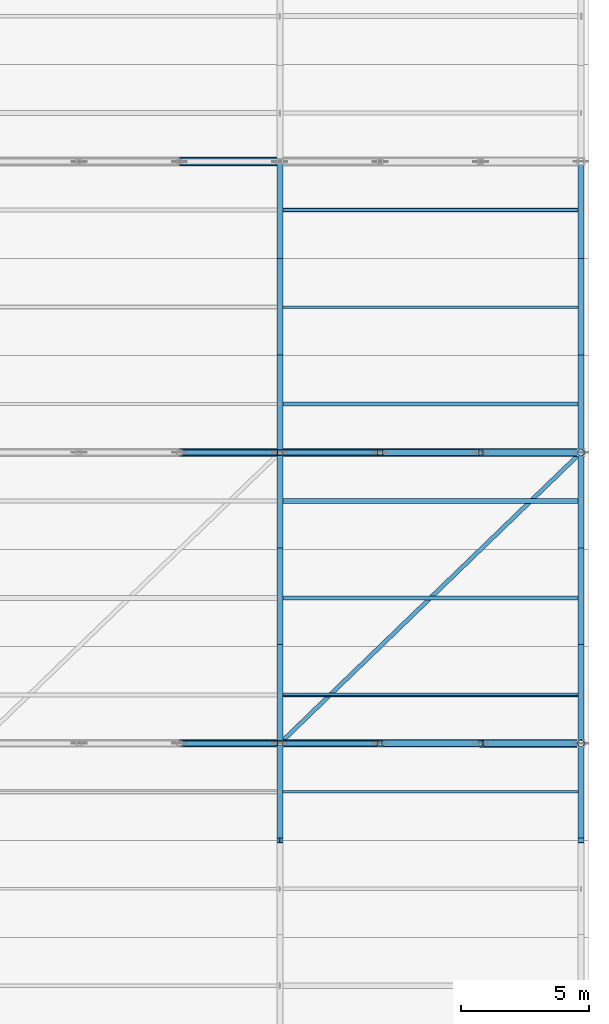
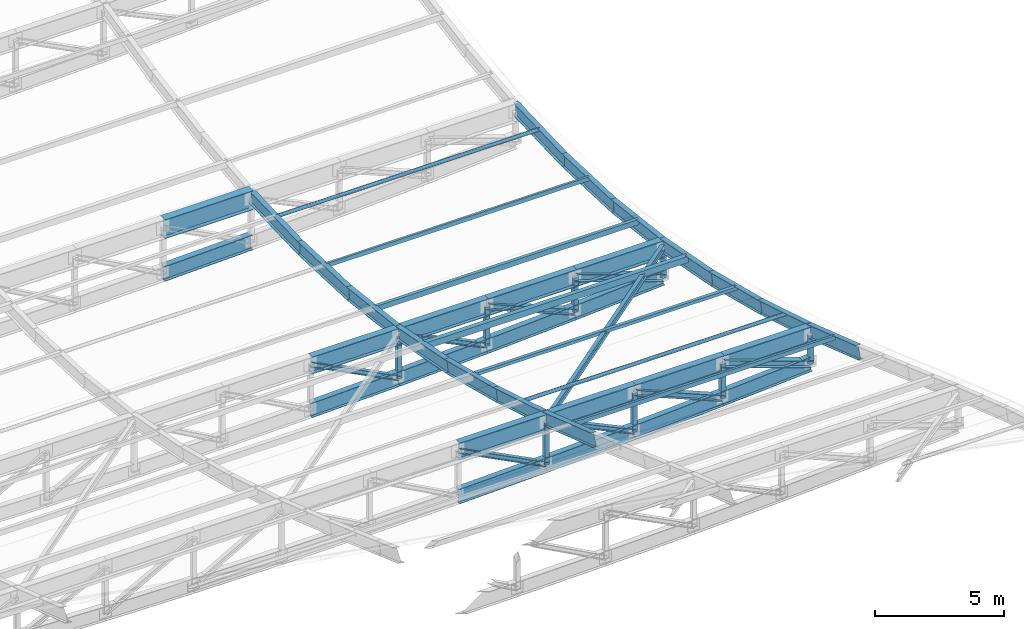
# One storey, part 17 of 65: 38 members, 18 beams.
"""IFC4 building model written with IfcOpenShell, lengths in metres."""

from ifc_helpers import new_model, si_unit, direction, frame, origin, origin_2d, place, context, subcontext, project, spatial, hollow_rectangle, hollow_circle, i_section, extrude, material, material_profile, profile_set, type_object, element, save


model = new_model("IFC4")

# Units and contexts
model_context = context("Model", 3, precision=1e-05, world=origin(), true_north=direction((0.0, 1.0)))
body_context = subcontext(model_context, "Body", "Model", "MODEL_VIEW")
ifc_project = project(units=[si_unit("LENGTHUNIT", "METRE"), si_unit("AREAUNIT", "SQUARE_METRE"), si_unit("VOLUMEUNIT", "CUBIC_METRE"), si_unit("PLANEANGLEUNIT", "RADIAN"), si_unit("MASSUNIT", "GRAM", prefix="KILO"), si_unit("POWERUNIT", "WATT"), si_unit("THERMODYNAMICTEMPERATUREUNIT", "KELVIN")], contexts=[model_context])

# Site, building, storey
site_placement = place(None, origin())
site = spatial("IfcSite", under=ifc_project, at=site_placement, CompositionType="ELEMENT")
building_placement = place(site_placement, origin())
building = spatial("IfcBuilding", under=site, at=building_placement, Name="Kelmbourne Parkland Aquatics Centre", CompositionType="ELEMENT")
storey_placement = place(building_placement, frame((0.0, 0.0, 27.0)))
storey = spatial("IfcBuildingStorey", under=building, at=storey_placement, Name="RF", CompositionType="ELEMENT", Elevation=27.0)

# Members
ifc_material_1 = material(Name="Structural steel AS/NZS 3679.1 Grade 300", Category="steel")
ifc_material_profile_1 = material_profile(ifc_material_1, i_section(OverallWidth=0.166015625, OverallDepth=0.306884765625, WebThickness=0.006591796875, FlangeThickness=0.01171875, at=origin_2d()), Name="310UB46.2")
ifc_profile_set_1 = profile_set([ifc_material_profile_1], Name="Structural steel AS/NZS 3679.1 Grade 300")
member_type_1 = type_object("IfcMemberType", Name="MB-BR-I", PredefinedType="BRACE", material=ifc_profile_set_1)
member_1_placement = place(storey_placement, frame((163.406982421875, 35.0068359375, -9.568359375), z_axis=(0.708582480884, 0.684569204059, -0.171101936399), x_axis=(-0.694815416631, 0.719188109476, 0.0)))
element("IfcMember", 1, at=member_1_placement, inside=storey, type_object=member_type_1, Name="Roof wind diagonal brace B4-912", PredefinedType="BRACE", context=body_context, shape_type="SweptSolid", body=[
    extrude(i_section(OverallWidth=0.166015625, OverallDepth=0.306884765625, WebThickness=0.006591796875, FlangeThickness=0.01171875, at=origin_2d()), origin(), (0.0, 0.0, 1.0), 16.633056640625),
])
ifc_material_profile_2 = material_profile(ifc_material_1, i_section(OverallWidth=0.306884765625, OverallDepth=0.31494140625, WebThickness=0.011962890625, FlangeThickness=0.018798828125, at=origin_2d()), Name="310UC118")
ifc_profile_set_2 = profile_set([ifc_material_profile_2], Name="Structural steel AS/NZS 3679.1 Grade 300")
member_type_2 = type_object("IfcMemberType", Name="MB-DIAG1", PredefinedType="STRUT", material=ifc_profile_set_2)
for number, where, z_axis, x_axis, name in (
    (2, (171.2666015625, 35.0, -9.566650390625), (0.94359966112, 0.0, -0.331088627913), (0.0, 1.0, 0.0), "Roof truss R03 web diagonal 12"),
    (3, (171.2666015625, 46.39990234375, -12.416015625), (0.943617957768, 0.0, -0.331036478015), (0.0, 1.0, 0.0), "Roof truss R04 web diagonal 12"),
):
    element("IfcMember", number, at=place(storey_placement, frame(where, z_axis=z_axis, x_axis=x_axis)), inside=storey, type_object=member_type_2, Name=name, PredefinedType="STRUT", context=body_context, shape_type="SweptSolid", body=[
        extrude(i_section(OverallWidth=0.306884765625, OverallDepth=0.31494140625, WebThickness=0.011962890625, FlangeThickness=0.018798828125, at=origin_2d()), origin(), (0.0, 0.0, 1.0), 4.16845703125),
    ])
ifc_material_profile_3 = material_profile(ifc_material_1, i_section(OverallWidth=0.256103515625, OverallDepth=0.260009765625, WebThickness=0.010498046875, FlangeThickness=0.017333984375, at=origin_2d()), Name="250UC89.5")
ifc_profile_set_3 = profile_set([ifc_material_profile_3], Name="Structural steel AS/NZS 3679.1 Grade 300")
member_type_3 = type_object("IfcMemberType", Name="MB-DIAG2", PredefinedType="STRUT", material=ifc_profile_set_3)
for number, where, z_axis, x_axis, name in (
    (4, (167.333251953125, 35.0, -9.566650390625), (0.923014195881, 0.0, -0.384765895322), (0.0, 1.0, 0.0), "Roof truss R03 web diagonal 11"),
    (5, (167.333251953125, 46.39990234375, -12.416015625), (0.923014195881, 0.0, -0.384765895322), (0.0, 1.0, 0.0), "Roof truss R04 web diagonal 11"),
):
    element("IfcMember", number, at=place(storey_placement, frame(where, z_axis=z_axis, x_axis=x_axis)), inside=storey, type_object=member_type_3, Name=name, PredefinedType="STRUT", context=body_context, shape_type="SweptSolid", body=[
        extrude(i_section(OverallWidth=0.256103515625, OverallDepth=0.260009765625, WebThickness=0.010498046875, FlangeThickness=0.017333984375, at=origin_2d()), origin(), (0.0, 0.0, 1.0), 4.261474609375),
    ])
ifc_material_profile_4 = material_profile(ifc_material_1, i_section(OverallWidth=0.205078125, OverallDepth=0.2099609375, WebThickness=0.00927734375, FlangeThickness=0.01416015625, at=origin_2d()), Name="200UC59.5")
ifc_profile_set_4 = profile_set([ifc_material_profile_4], Name="Structural steel AS/NZS 3679.1 Grade 300")
member_type_4 = type_object("IfcMemberType", Name="MB-DIAG3", PredefinedType="STRUT", material=ifc_profile_set_4)
member_2_placement = place(storey_placement, frame((159.466796875, 35.0, -9.566650390625), z_axis=(0.889762254621, 0.0, -0.456424287535), x_axis=(0.0, 1.0, 0.0)))
element("IfcMember", 6, at=member_2_placement, inside=storey, type_object=member_type_4, Name="Roof truss R03 web diagonal 9", PredefinedType="STRUT", context=body_context, shape_type="SweptSolid", body=[
    extrude(i_section(OverallWidth=0.205078125, OverallDepth=0.2099609375, WebThickness=0.00927734375, FlangeThickness=0.01416015625, at=origin_2d()), origin(), (0.0, 0.0, 1.0), 4.42041015625),
])
member_3_placement = place(storey_placement, frame((163.39990234375, 35.0, -9.566650390625), z_axis=(0.904702860314, 0.0, -0.426043113475), x_axis=(0.0, 1.0, 0.0)))
element("IfcMember", 7, at=member_3_placement, inside=storey, type_object=member_type_4, Name="Roof truss R03 web diagonal 10", PredefinedType="STRUT", context=body_context, shape_type="SweptSolid", body=[
    extrude(i_section(OverallWidth=0.205078125, OverallDepth=0.2099609375, WebThickness=0.00927734375, FlangeThickness=0.01416015625, at=origin_2d()), origin(), (0.0, 0.0, 1.0), 4.34765625),
])
member_4_placement = place(storey_placement, frame((159.466796875, 46.39990234375, -12.416015625), z_axis=(0.889784683693, 0.0, -0.456380561226), x_axis=(0.0, 1.0, 0.0)))
element("IfcMember", 8, at=member_4_placement, inside=storey, type_object=member_type_4, Name="Roof truss R04 web diagonal 9", PredefinedType="STRUT", context=body_context, shape_type="SweptSolid", body=[
    extrude(i_section(OverallWidth=0.205078125, OverallDepth=0.2099609375, WebThickness=0.00927734375, FlangeThickness=0.01416015625, at=origin_2d()), origin(), (0.0, 0.0, 1.0), 4.42041015625),
])
member_5_placement = place(storey_placement, frame((163.39990234375, 46.39990234375, -12.416015625), z_axis=(0.904724503936, 0.0, -0.425997150199), x_axis=(0.0, 1.0, 0.0)))
element("IfcMember", 9, at=member_5_placement, inside=storey, type_object=member_type_4, Name="Roof truss R04 web diagonal 10", PredefinedType="STRUT", context=body_context, shape_type="SweptSolid", body=[
    extrude(i_section(OverallWidth=0.205078125, OverallDepth=0.2099609375, WebThickness=0.00927734375, FlangeThickness=0.01416015625, at=origin_2d()), origin(), (0.0, 0.0, 1.0), 4.34765625),
])
ifc_material_profile_5 = material_profile(ifc_material_1, i_section(OverallWidth=0.22900390625, OverallDepth=0.612060546875, WebThickness=0.011962890625, FlangeThickness=0.01953125, at=origin_2d()), Name="610UB125")
ifc_profile_set_5 = profile_set([ifc_material_profile_5], Name="Structural steel AS/NZS 3679.1 Grade 300")
member_type_5 = type_object("IfcMemberType", Name="MB-LRIB", PredefinedType="STRUT", material=ifc_profile_set_5)
member_6_placement = place(storey_placement, frame((163.39990234375, 31.199951171875, -8.157470703125), z_axis=(0.0, 0.946978369756, -0.321297319029), x_axis=(-1.0, 0.0, 0.0)))
element("IfcMember", 10, at=member_6_placement, inside=storey, type_object=member_type_5, Name="Longitudinal wave rib K9 strip 09", PredefinedType="STRUT", context=body_context, shape_type="SweptSolid", body=[
    extrude(i_section(OverallWidth=0.22900390625, OverallDepth=0.612060546875, WebThickness=0.011962890625, FlangeThickness=0.01953125, at=origin_2d()), origin(), (0.0, 0.0, 1.0), 4.0126953125),
])
member_7_placement = place(storey_placement, frame((163.39990234375, 35.0, -9.44677734375), z_axis=(0.0, 0.956676857842, -0.291151832676), x_axis=(-1.0, 0.0, 0.0)))
element("IfcMember", 11, at=member_7_placement, inside=storey, type_object=member_type_5, Name="Longitudinal wave rib K9 strip 10", PredefinedType="STRUT", context=body_context, shape_type="SweptSolid", body=[
    extrude(i_section(OverallWidth=0.22900390625, OverallDepth=0.612060546875, WebThickness=0.011962890625, FlangeThickness=0.01953125, at=origin_2d()), origin(), (0.0, 0.0, 1.0), 3.97216796875),
])
member_8_placement = place(storey_placement, frame((163.39990234375, 38.800048828125, -10.603271484375), z_axis=(0.0, 0.96918642233, -0.246328396193), x_axis=(-1.0, 0.0, 0.0)))
element("IfcMember", 12, at=member_8_placement, inside=storey, type_object=member_type_5, Name="Longitudinal wave rib K9 strip 11", PredefinedType="STRUT", context=body_context, shape_type="SweptSolid", body=[
    extrude(i_section(OverallWidth=0.22900390625, OverallDepth=0.612060546875, WebThickness=0.011962890625, FlangeThickness=0.01953125, at=origin_2d()), origin(), (0.0, 0.0, 1.0), 3.9208984375),
])
member_9_placement = place(storey_placement, frame((163.39990234375, 42.60009765625, -11.569091796875), z_axis=(0.0, 0.982194109661, -0.187868919588), x_axis=(-1.0, 0.0, 0.0)))
element("IfcMember", 13, at=member_9_placement, inside=storey, type_object=member_type_5, Name="Longitudinal wave rib K9 strip 12", PredefinedType="STRUT", context=body_context, shape_type="SweptSolid", body=[
    extrude(i_section(OverallWidth=0.22900390625, OverallDepth=0.612060546875, WebThickness=0.011962890625, FlangeThickness=0.01953125, at=origin_2d()), origin(), (0.0, 0.0, 1.0), 3.86865234375),
])
member_10_placement = place(storey_placement, frame((163.39990234375, 46.39990234375, -12.2958984375), z_axis=(0.0, 0.993025491234, -0.117899846309), x_axis=(-1.0, 0.0, 0.0)))
element("IfcMember", 14, at=member_10_placement, inside=storey, type_object=member_type_5, Name="Longitudinal wave rib K9 strip 13", PredefinedType="STRUT", context=body_context, shape_type="SweptSolid", body=[
    extrude(i_section(OverallWidth=0.22900390625, OverallDepth=0.612060546875, WebThickness=0.011962890625, FlangeThickness=0.01953125, at=origin_2d()), origin(), (0.0, 0.0, 1.0), 3.82666015625),
])
member_11_placement = place(storey_placement, frame((163.39990234375, 50.199951171875, -12.7470703125), z_axis=(0.0, 0.999192218412, -0.040185951091), x_axis=(-1.0, 0.0, 0.0)))
element("IfcMember", 15, at=member_11_placement, inside=storey, type_object=member_type_5, Name="Longitudinal wave rib K9 strip 14", PredefinedType="STRUT", context=body_context, shape_type="SweptSolid", body=[
    extrude(i_section(OverallWidth=0.22900390625, OverallDepth=0.612060546875, WebThickness=0.011962890625, FlangeThickness=0.01953125, at=origin_2d()), origin(), (0.0, 0.0, 1.0), 3.80322265625),
])
member_12_placement = place(storey_placement, frame((163.39990234375, 54.0, -12.89990234375), z_axis=(0.0, 0.99935801958, 0.035826647923), x_axis=(-1.0, 0.0, 0.0)))
element("IfcMember", 16, at=member_12_placement, inside=storey, type_object=member_type_5, Name="Longitudinal wave rib K9 strip 15", PredefinedType="STRUT", context=body_context, shape_type="SweptSolid", body=[
    extrude(i_section(OverallWidth=0.22900390625, OverallDepth=0.612060546875, WebThickness=0.011962890625, FlangeThickness=0.01953125, at=origin_2d()), origin(), (0.0, 0.0, 1.0), 3.802490234375),
])
member_13_placement = place(storey_placement, frame((175.199951171875, 31.199951171875, -8.157470703125), z_axis=(0.0, 0.946978369756, -0.321297319029), x_axis=(-1.0, 0.0, 0.0)))
element("IfcMember", 17, at=member_13_placement, inside=storey, type_object=member_type_5, Name="Longitudinal wave rib K12 strip 09", PredefinedType="STRUT", context=body_context, shape_type="SweptSolid", body=[
    extrude(i_section(OverallWidth=0.22900390625, OverallDepth=0.612060546875, WebThickness=0.011962890625, FlangeThickness=0.01953125, at=origin_2d()), origin(), (0.0, 0.0, 1.0), 4.0126953125),
])
member_14_placement = place(storey_placement, frame((175.199951171875, 35.0, -9.44677734375), z_axis=(0.0, 0.956676857842, -0.291151832676), x_axis=(-1.0, 0.0, 0.0)))
element("IfcMember", 18, at=member_14_placement, inside=storey, type_object=member_type_5, Name="Longitudinal wave rib K12 strip 10", PredefinedType="STRUT", context=body_context, shape_type="SweptSolid", body=[
    extrude(i_section(OverallWidth=0.22900390625, OverallDepth=0.612060546875, WebThickness=0.011962890625, FlangeThickness=0.01953125, at=origin_2d()), origin(), (0.0, 0.0, 1.0), 3.97216796875),
])
member_15_placement = place(storey_placement, frame((175.199951171875, 38.800048828125, -10.603271484375), z_axis=(0.0, 0.96918642233, -0.246328396193), x_axis=(-1.0, 0.0, 0.0)))
element("IfcMember", 19, at=member_15_placement, inside=storey, type_object=member_type_5, Name="Longitudinal wave rib K12 strip 11", PredefinedType="STRUT", context=body_context, shape_type="SweptSolid", body=[
    extrude(i_section(OverallWidth=0.22900390625, OverallDepth=0.612060546875, WebThickness=0.011962890625, FlangeThickness=0.01953125, at=origin_2d()), origin(), (0.0, 0.0, 1.0), 3.9208984375),
])
member_16_placement = place(storey_placement, frame((175.199951171875, 42.60009765625, -11.569091796875), z_axis=(0.0, 0.982194109661, -0.187868919588), x_axis=(-1.0, 0.0, 0.0)))
element("IfcMember", 20, at=member_16_placement, inside=storey, type_object=member_type_5, Name="Longitudinal wave rib K12 strip 12", PredefinedType="STRUT", context=body_context, shape_type="SweptSolid", body=[
    extrude(i_section(OverallWidth=0.22900390625, OverallDepth=0.612060546875, WebThickness=0.011962890625, FlangeThickness=0.01953125, at=origin_2d()), origin(), (0.0, 0.0, 1.0), 3.86865234375),
])
member_17_placement = place(storey_placement, frame((175.199951171875, 46.39990234375, -12.2958984375), z_axis=(0.0, 0.993025491234, -0.117899846309), x_axis=(-1.0, 0.0, 0.0)))
element("IfcMember", 21, at=member_17_placement, inside=storey, type_object=member_type_5, Name="Longitudinal wave rib K12 strip 13", PredefinedType="STRUT", context=body_context, shape_type="SweptSolid", body=[
    extrude(i_section(OverallWidth=0.22900390625, OverallDepth=0.612060546875, WebThickness=0.011962890625, FlangeThickness=0.01953125, at=origin_2d()), origin(), (0.0, 0.0, 1.0), 3.82666015625),
])
member_18_placement = place(storey_placement, frame((175.199951171875, 50.199951171875, -12.7470703125), z_axis=(0.0, 0.999192218412, -0.040185951091), x_axis=(-1.0, 0.0, 0.0)))
element("IfcMember", 22, at=member_18_placement, inside=storey, type_object=member_type_5, Name="Longitudinal wave rib K12 strip 14", PredefinedType="STRUT", context=body_context, shape_type="SweptSolid", body=[
    extrude(i_section(OverallWidth=0.22900390625, OverallDepth=0.612060546875, WebThickness=0.011962890625, FlangeThickness=0.01953125, at=origin_2d()), origin(), (0.0, 0.0, 1.0), 3.80322265625),
])
member_19_placement = place(storey_placement, frame((175.199951171875, 54.0, -12.89990234375), z_axis=(0.0, 0.99935801958, 0.035826647923), x_axis=(-1.0, 0.0, 0.0)))
element("IfcMember", 23, at=member_19_placement, inside=storey, type_object=member_type_5, Name="Longitudinal wave rib K12 strip 15", PredefinedType="STRUT", context=body_context, shape_type="SweptSolid", body=[
    extrude(i_section(OverallWidth=0.22900390625, OverallDepth=0.612060546875, WebThickness=0.011962890625, FlangeThickness=0.01953125, at=origin_2d()), origin(), (0.0, 0.0, 1.0), 3.802490234375),
])
ifc_material_2 = material(Name="Cold-formed hollow steel AS/NZS 1163 C350L0", Category="steel")
ifc_material_profile_6 = material_profile(ifc_material_2, hollow_rectangle(XDim=0.199951171875, YDim=0.199951171875, WallThickness=0.010009765625, at=origin_2d()), Name="SHS 200x200x10.0")
ifc_profile_set_6 = profile_set([ifc_material_profile_6], Name="Cold-formed hollow steel AS/NZS 1163 C350L0")
member_type_6 = type_object("IfcMemberType", Name="MB-POST1", PredefinedType="STRUT", material=ifc_profile_set_6)
member_20_placement = place(storey_placement, frame((163.39990234375, 35.0, -11.584228515625), z_axis=(0.0, 0.0, 1.0), x_axis=(1.0, 0.0, 0.0)))
element("IfcMember", 24, at=member_20_placement, inside=storey, type_object=member_type_6, Name="Roof truss R03 vertical post 9", PredefinedType="STRUT", context=body_context, shape_type="SweptSolid", body=[
    extrude(hollow_rectangle(XDim=0.199951171875, YDim=0.199951171875, WallThickness=0.010009765625, at=origin_2d()), origin(), (0.0, 0.0, 1.0), 2.017578125),
])
member_21_placement = place(storey_placement, frame((167.333251953125, 35.0, -11.4189453125), z_axis=(0.0, 0.0, 1.0), x_axis=(1.0, 0.0, 0.0)))
element("IfcMember", 25, at=member_21_placement, inside=storey, type_object=member_type_6, Name="Roof truss R03 vertical post 10", PredefinedType="STRUT", context=body_context, shape_type="SweptSolid", body=[
    extrude(hollow_rectangle(XDim=0.199951171875, YDim=0.199951171875, WallThickness=0.010009765625, at=origin_2d()), origin(), (0.0, 0.0, 1.0), 1.852294921875),
])
member_22_placement = place(storey_placement, frame((171.2666015625, 35.0, -11.206298828125), z_axis=(0.0, 0.0, 1.0), x_axis=(1.0, 0.0, 0.0)))
element("IfcMember", 26, at=member_22_placement, inside=storey, type_object=member_type_6, Name="Roof truss R03 vertical post 11", PredefinedType="STRUT", context=body_context, shape_type="SweptSolid", body=[
    extrude(hollow_rectangle(XDim=0.199951171875, YDim=0.199951171875, WallThickness=0.010009765625, at=origin_2d()), origin(), (0.0, 0.0, 1.0), 1.6396484375),
])
member_23_placement = place(storey_placement, frame((163.39990234375, 46.39990234375, -14.433349609375), z_axis=(0.0, 0.0, 1.0), x_axis=(1.0, 0.0, 0.0)))
element("IfcMember", 27, at=member_23_placement, inside=storey, type_object=member_type_6, Name="Roof truss R04 vertical post 9", PredefinedType="STRUT", context=body_context, shape_type="SweptSolid", body=[
    extrude(hollow_rectangle(XDim=0.199951171875, YDim=0.199951171875, WallThickness=0.010009765625, at=origin_2d()), origin(), (0.0, 0.0, 1.0), 2.017333984375),
])
member_24_placement = place(storey_placement, frame((167.333251953125, 46.39990234375, -14.26806640625), z_axis=(0.0, 0.0, 1.0), x_axis=(1.0, 0.0, 0.0)))
element("IfcMember", 28, at=member_24_placement, inside=storey, type_object=member_type_6, Name="Roof truss R04 vertical post 10", PredefinedType="STRUT", context=body_context, shape_type="SweptSolid", body=[
    extrude(hollow_rectangle(XDim=0.199951171875, YDim=0.199951171875, WallThickness=0.010009765625, at=origin_2d()), origin(), (0.0, 0.0, 1.0), 1.85205078125),
])
member_25_placement = place(storey_placement, frame((171.2666015625, 46.39990234375, -14.0556640625), z_axis=(0.0, 0.0, 1.0), x_axis=(1.0, 0.0, 0.0)))
element("IfcMember", 29, at=member_25_placement, inside=storey, type_object=member_type_6, Name="Roof truss R04 vertical post 11", PredefinedType="STRUT", context=body_context, shape_type="SweptSolid", body=[
    extrude(hollow_rectangle(XDim=0.199951171875, YDim=0.199951171875, WallThickness=0.010009765625, at=origin_2d()), origin(), (0.0, 0.0, 1.0), 1.6396484375),
])
ifc_material_profile_7 = material_profile(ifc_material_2, hollow_circle(Radius=0.136474609375, WallThickness=0.00927734375, at=origin_2d()), Name="CHS 273.1x9.3")
ifc_profile_set_7 = profile_set([ifc_material_profile_7], Name="Cold-formed hollow steel AS/NZS 1163 C350L0")
member_type_7 = type_object("IfcMemberType", Name="MB-POST2", PredefinedType="STRUT", material=ifc_profile_set_7)
member_26_placement = place(storey_placement, frame((175.199951171875, 35.0, -10.94677734375), z_axis=(0.0, 0.0, 1.0), x_axis=(1.0, 0.0, 0.0)))
element("IfcMember", 30, at=member_26_placement, inside=storey, type_object=member_type_7, Name="Roof truss R03 vertical post 12", PredefinedType="STRUT", context=body_context, shape_type="SweptSolid", body=[
    extrude(hollow_circle(Radius=0.136474609375, WallThickness=0.00927734375, at=origin_2d()), origin(), (0.0, 0.0, 1.0), 1.380126953125),
])
member_27_placement = place(storey_placement, frame((175.199951171875, 46.39990234375, -13.7958984375), z_axis=(0.0, 0.0, 1.0), x_axis=(1.0, 0.0, 0.0)))
element("IfcMember", 31, at=member_27_placement, inside=storey, type_object=member_type_7, Name="Roof truss R04 vertical post 12", PredefinedType="STRUT", context=body_context, shape_type="SweptSolid", body=[
    extrude(hollow_circle(Radius=0.136474609375, WallThickness=0.00927734375, at=origin_2d()), origin(), (0.0, 0.0, 1.0), 1.3798828125),
])
ifc_material_profile_8 = material_profile(ifc_material_2, hollow_rectangle(XDim=0.10009765625, YDim=0.199951171875, WallThickness=0.006103515625, at=origin_2d()), Name="RHS 200x100x6.0")
ifc_profile_set_8 = profile_set([ifc_material_profile_8], Name="Cold-formed hollow steel AS/NZS 1163 C350L0")
member_type_8 = type_object("IfcMemberType", Name="MB-PUR1", PredefinedType="PURLIN", material=ifc_profile_set_8)
for number, where, z_axis, x_axis, name in (
    (32, (163.39990234375, 33.10009765625, -8.592041015625), (1.0, 0.0, 0.0), (0.0, 1.0, 0.0), "Wave roof purlin S09-G4"),
    (33, (163.39990234375, 52.10009765625, -12.613525390625), (1.0, 0.0, 0.0), (0.0, 1.0, 0.0), "Wave roof purlin S14-G4"),
):
    element("IfcMember", number, at=place(storey_placement, frame(where, z_axis=z_axis, x_axis=x_axis)), inside=storey, type_object=member_type_8, Name=name, PredefinedType="PURLIN", context=body_context, shape_type="SweptSolid", body=[
        extrude(hollow_rectangle(XDim=0.10009765625, YDim=0.199951171875, WallThickness=0.006103515625, at=origin_2d()), origin(), (0.0, 0.0, 1.0), 11.800048828125),
    ])
ifc_material_profile_9 = material_profile(ifc_material_2, hollow_rectangle(XDim=0.14990234375, YDim=0.25, WallThickness=0.009033203125, at=origin_2d()), Name="RHS 250x150x9.0")
ifc_profile_set_9 = profile_set([ifc_material_profile_9], Name="Cold-formed hollow steel AS/NZS 1163 C350L0")
member_type_9 = type_object("IfcMemberType", Name="MB-PUR2", PredefinedType="PURLIN", material=ifc_profile_set_9)
member_28_placement = place(storey_placement, frame((163.39990234375, 48.300048828125, -12.33642578125), z_axis=(1.0, 0.0, 0.0), x_axis=(0.0, 1.0, 0.0)))
element("IfcMember", 34, at=member_28_placement, inside=storey, type_object=member_type_9, Name="Wave roof purlin S13-G4", PredefinedType="PURLIN", context=body_context, shape_type="SweptSolid", body=[
    extrude(hollow_rectangle(XDim=0.14990234375, YDim=0.25, WallThickness=0.009033203125, at=origin_2d()), origin(), (0.0, 0.0, 1.0), 11.800048828125),
])
ifc_material_profile_10 = material_profile(ifc_material_2, hollow_rectangle(XDim=0.199951171875, YDim=0.300048828125, WallThickness=0.010009765625, at=origin_2d()), Name="RHS 300x200x10.0")
ifc_profile_set_10 = profile_set([ifc_material_profile_10], Name="Cold-formed hollow steel AS/NZS 1163 C350L0")
member_type_10 = type_object("IfcMemberType", Name="MB-PUR3", PredefinedType="PURLIN", material=ifc_profile_set_10)
member_29_placement = place(storey_placement, frame((163.39990234375, 44.5, -11.7724609375), z_axis=(1.0, 0.0, 0.0), x_axis=(0.0, 1.0, 0.0)))
element("IfcMember", 35, at=member_29_placement, inside=storey, type_object=member_type_10, Name="Wave roof purlin S12-G4", PredefinedType="PURLIN", context=body_context, shape_type="SweptSolid", body=[
    extrude(hollow_rectangle(XDim=0.199951171875, YDim=0.300048828125, WallThickness=0.010009765625, at=origin_2d()), origin(), (0.0, 0.0, 1.0), 11.800048828125),
])
ifc_material_profile_11 = material_profile(ifc_material_2, hollow_rectangle(XDim=0.14990234375, YDim=0.14990234375, WallThickness=0.009033203125, at=origin_2d()), Name="SHS 150x150x9.0")
ifc_profile_set_11 = profile_set([ifc_material_profile_11], Name="Cold-formed hollow steel AS/NZS 1163 C350L0")
member_type_11 = type_object("IfcMemberType", Name="MB-PUR4", PredefinedType="PURLIN", material=ifc_profile_set_11)
member_30_placement = place(storey_placement, frame((163.39990234375, 40.699951171875, -10.851318359375), z_axis=(1.0, 0.0, 0.0), x_axis=(0.0, 1.0, 0.0)))
element("IfcMember", 36, at=member_30_placement, inside=storey, type_object=member_type_11, Name="Wave roof purlin S11-G4", PredefinedType="PURLIN", context=body_context, shape_type="SweptSolid", body=[
    extrude(hollow_rectangle(XDim=0.14990234375, YDim=0.14990234375, WallThickness=0.009033203125, at=origin_2d()), origin(), (0.0, 0.0, 1.0), 11.800048828125),
])
ifc_material_profile_12 = material_profile(ifc_material_2, hollow_circle(Radius=0.084228515625, WallThickness=0.007080078125, at=origin_2d()), Name="CHS 168.3x7.1")
ifc_profile_set_12 = profile_set([ifc_material_profile_12], Name="Cold-formed hollow steel AS/NZS 1163 C350L0")
member_type_12 = type_object("IfcMemberType", Name="MB-PUR5", PredefinedType="PURLIN", material=ifc_profile_set_12)
for number, where, z_axis, x_axis, name in (
    (37, (163.39990234375, 36.89990234375, -9.79931640625), (1.0, 0.0, 0.0), (0.0, 1.0, 0.0), "Wave roof purlin S10-G4"),
    (38, (163.39990234375, 55.89990234375, -12.60595703125), (1.0, 0.0, 0.0), (0.0, 1.0, 0.0), "Wave roof purlin S15-G4"),
):
    element("IfcMember", number, at=place(storey_placement, frame(where, z_axis=z_axis, x_axis=x_axis)), inside=storey, type_object=member_type_12, Name=name, PredefinedType="PURLIN", context=body_context, shape_type="SweptSolid", body=[
        extrude(hollow_circle(Radius=0.084228515625, WallThickness=0.007080078125, at=origin_2d()), origin(), (0.0, 0.0, 1.0), 11.800048828125),
    ])

# Beams
ifc_material_3 = material(Name="Welded plate steel AS/NZS 3678 Grade 350", Category="steel")
ifc_material_profile_13 = material_profile(ifc_material_3, i_section(OverallWidth=0.27490234375, OverallDepth=0.716064453125, WebThickness=0.011962890625, FlangeThickness=0.02490234375, at=origin_2d()), Name="700WB173")
ifc_profile_set_13 = profile_set([ifc_material_profile_13], Name="Welded plate steel AS/NZS 3678 Grade 350")
beam_type_1 = type_object("IfcBeamType", Name="TR-BC1", PredefinedType="BEAM", material=ifc_profile_set_13)
beam_1_placement = place(storey_placement, frame((159.466796875, 57.800048828125, -15.019287109375), z_axis=(0.999549000802, 0.0, 0.0300299017), x_axis=(0.0, 1.0, 0.0)))
element("IfcBeam", 39, at=beam_1_placement, inside=storey, type_object=beam_type_1, Name="Roof truss R05 bottom chord 9", PredefinedType="BEAM", context=body_context, shape_type="SweptSolid", body=[
    extrude(i_section(OverallWidth=0.27490234375, OverallDepth=0.716064453125, WebThickness=0.011962890625, FlangeThickness=0.02490234375, at=origin_2d()), origin(), (0.0, 0.0, 1.0), 3.934814453125),
])
ifc_material_profile_14 = material_profile(ifc_material_3, i_section(OverallWidth=0.25, OverallDepth=0.699951171875, WebThickness=0.010009765625, FlangeThickness=0.02001953125, at=origin_2d()), Name="700WB130")
ifc_profile_set_14 = profile_set([ifc_material_profile_14], Name="Welded plate steel AS/NZS 3678 Grade 350")
beam_type_2 = type_object("IfcBeamType", Name="TR-BC2", PredefinedType="BEAM", material=ifc_profile_set_14)
beam_2_placement = place(storey_placement, frame((159.466796875, 35.0, -11.702392578125), z_axis=(0.999549000802, 0.0, 0.0300299017), x_axis=(0.0, 1.0, 0.0)))
element("IfcBeam", 40, at=beam_2_placement, inside=storey, type_object=beam_type_2, Name="Roof truss R03 bottom chord 9", PredefinedType="BEAM", context=body_context, shape_type="SweptSolid", body=[
    extrude(i_section(OverallWidth=0.25, OverallDepth=0.699951171875, WebThickness=0.010009765625, FlangeThickness=0.02001953125, at=origin_2d()), origin(), (0.0, 0.0, 1.0), 3.934814453125),
])
beam_3_placement = place(storey_placement, frame((163.39990234375, 35.0, -11.584228515625), z_axis=(0.999118286144, 0.0, 0.041983928975), x_axis=(0.0, 1.0, 0.0)))
element("IfcBeam", 41, at=beam_3_placement, inside=storey, type_object=beam_type_2, Name="Roof truss R03 bottom chord 10", PredefinedType="BEAM", context=body_context, shape_type="SweptSolid", body=[
    extrude(i_section(OverallWidth=0.25, OverallDepth=0.699951171875, WebThickness=0.010009765625, FlangeThickness=0.02001953125, at=origin_2d()), origin(), (0.0, 0.0, 1.0), 3.936767578125),
])
beam_4_placement = place(storey_placement, frame((167.333251953125, 35.0, -11.4189453125), z_axis=(0.99854182183, 0.0, 0.053983609138), x_axis=(0.0, 1.0, 0.0)))
element("IfcBeam", 42, at=beam_4_placement, inside=storey, type_object=beam_type_2, Name="Roof truss R03 bottom chord 11", PredefinedType="BEAM", context=body_context, shape_type="SweptSolid", body=[
    extrude(i_section(OverallWidth=0.25, OverallDepth=0.699951171875, WebThickness=0.010009765625, FlangeThickness=0.02001953125, at=origin_2d()), origin(), (0.0, 0.0, 1.0), 3.939208984375),
])
beam_5_placement = place(storey_placement, frame((171.2666015625, 35.0, -11.206298828125), z_axis=(0.9978304164, 0.0, 0.065836616761), x_axis=(0.0, 1.0, 0.0)))
element("IfcBeam", 43, at=beam_5_placement, inside=storey, type_object=beam_type_2, Name="Roof truss R03 bottom chord 12", PredefinedType="BEAM", context=body_context, shape_type="SweptSolid", body=[
    extrude(i_section(OverallWidth=0.25, OverallDepth=0.699951171875, WebThickness=0.010009765625, FlangeThickness=0.02001953125, at=origin_2d()), origin(), (0.0, 0.0, 1.0), 3.94189453125),
])
beam_6_placement = place(storey_placement, frame((159.466796875, 46.39990234375, -14.551513671875), z_axis=(0.999549000802, 0.0, 0.0300299017), x_axis=(0.0, 1.0, 0.0)))
element("IfcBeam", 44, at=beam_6_placement, inside=storey, type_object=beam_type_2, Name="Roof truss R04 bottom chord 9", PredefinedType="BEAM", context=body_context, shape_type="SweptSolid", body=[
    extrude(i_section(OverallWidth=0.25, OverallDepth=0.699951171875, WebThickness=0.010009765625, FlangeThickness=0.02001953125, at=origin_2d()), origin(), (0.0, 0.0, 1.0), 3.934814453125),
])
beam_7_placement = place(storey_placement, frame((163.39990234375, 46.39990234375, -14.433349609375), z_axis=(0.999118286144, 0.0, 0.041983928975), x_axis=(0.0, 1.0, 0.0)))
element("IfcBeam", 45, at=beam_7_placement, inside=storey, type_object=beam_type_2, Name="Roof truss R04 bottom chord 10", PredefinedType="BEAM", context=body_context, shape_type="SweptSolid", body=[
    extrude(i_section(OverallWidth=0.25, OverallDepth=0.699951171875, WebThickness=0.010009765625, FlangeThickness=0.02001953125, at=origin_2d()), origin(), (0.0, 0.0, 1.0), 3.936767578125),
])
beam_8_placement = place(storey_placement, frame((167.333251953125, 46.39990234375, -14.26806640625), z_axis=(0.998545160894, 0.0, 0.053921810563), x_axis=(0.0, 1.0, 0.0)))
element("IfcBeam", 46, at=beam_8_placement, inside=storey, type_object=beam_type_2, Name="Roof truss R04 bottom chord 11", PredefinedType="BEAM", context=body_context, shape_type="SweptSolid", body=[
    extrude(i_section(OverallWidth=0.25, OverallDepth=0.699951171875, WebThickness=0.010009765625, FlangeThickness=0.02001953125, at=origin_2d()), origin(), (0.0, 0.0, 1.0), 3.93896484375),
])
beam_9_placement = place(storey_placement, frame((171.2666015625, 46.39990234375, -14.0556640625), z_axis=(0.997826345785, 0.0, 0.065898282659), x_axis=(0.0, 1.0, 0.0)))
element("IfcBeam", 47, at=beam_9_placement, inside=storey, type_object=beam_type_2, Name="Roof truss R04 bottom chord 12", PredefinedType="BEAM", context=body_context, shape_type="SweptSolid", body=[
    extrude(i_section(OverallWidth=0.25, OverallDepth=0.699951171875, WebThickness=0.010009765625, FlangeThickness=0.02001953125, at=origin_2d()), origin(), (0.0, 0.0, 1.0), 3.94189453125),
])
ifc_material_profile_15 = material_profile(ifc_material_3, i_section(OverallWidth=0.35009765625, OverallDepth=0.909912109375, WebThickness=0.011962890625, FlangeThickness=0.02490234375, at=origin_2d()), Name="900WB218")
ifc_profile_set_15 = profile_set([ifc_material_profile_15], Name="Welded plate steel AS/NZS 3678 Grade 350")
beam_type_3 = type_object("IfcBeamType", Name="TR-TC1", PredefinedType="BEAM", material=ifc_profile_set_15)
beam_10_placement = place(storey_placement, frame((159.466796875, 57.800048828125, -12.883544921875), z_axis=(1.0, 0.0, 0.0), x_axis=(0.0, 1.0, 0.0)))
element("IfcBeam", 48, at=beam_10_placement, inside=storey, type_object=beam_type_3, Name="Roof truss R05 top chord 9", PredefinedType="BEAM", context=body_context, shape_type="SweptSolid", body=[
    extrude(i_section(OverallWidth=0.35009765625, OverallDepth=0.909912109375, WebThickness=0.011962890625, FlangeThickness=0.02490234375, at=origin_2d()), origin(), (0.0, 0.0, 1.0), 3.93310546875),
])
ifc_material_profile_16 = material_profile(ifc_material_3, i_section(OverallWidth=0.300048828125, OverallDepth=0.81591796875, WebThickness=0.011962890625, FlangeThickness=0.028076171875, at=origin_2d()), Name="800WB192")
ifc_profile_set_16 = profile_set([ifc_material_profile_16], Name="Welded plate steel AS/NZS 3678 Grade 350")
beam_type_4 = type_object("IfcBeamType", Name="TR-TC2", PredefinedType="BEAM", material=ifc_profile_set_16)
beam_11_placement = place(storey_placement, frame((159.466796875, 35.0, -9.566650390625), z_axis=(1.0, 0.0, 0.0), x_axis=(0.0, 1.0, 0.0)))
element("IfcBeam", 49, at=beam_11_placement, inside=storey, type_object=beam_type_4, Name="Roof truss R03 top chord 9", PredefinedType="BEAM", context=body_context, shape_type="SweptSolid", body=[
    extrude(i_section(OverallWidth=0.300048828125, OverallDepth=0.81591796875, WebThickness=0.011962890625, FlangeThickness=0.028076171875, at=origin_2d()), origin(), (0.0, 0.0, 1.0), 3.93310546875),
])
for number, where, z_axis, x_axis, name in (
    (50, (163.39990234375, 35.0, -9.566650390625), (1.0, 0.0, 0.0), (0.0, 1.0, 0.0), "Roof truss R03 top chord 10"),
    (51, (167.333251953125, 35.0, -9.566650390625), (1.0, 0.0, 0.0), (0.0, 1.0, 0.0), "Roof truss R03 top chord 11"),
    (52, (171.2666015625, 35.0, -9.566650390625), (1.0, 0.0, 0.0), (0.0, 1.0, 0.0), "Roof truss R03 top chord 12"),
):
    element("IfcBeam", number, at=place(storey_placement, frame(where, z_axis=z_axis, x_axis=x_axis)), inside=storey, type_object=beam_type_4, Name=name, PredefinedType="BEAM", context=body_context, shape_type="SweptSolid", body=[
        extrude(i_section(OverallWidth=0.300048828125, OverallDepth=0.81591796875, WebThickness=0.011962890625, FlangeThickness=0.028076171875, at=origin_2d()), origin(), (0.0, 0.0, 1.0), 3.933349609375),
    ])
beam_12_placement = place(storey_placement, frame((159.466796875, 46.39990234375, -12.416015625), z_axis=(1.0, 0.0, 0.0), x_axis=(0.0, 1.0, 0.0)))
element("IfcBeam", 53, at=beam_12_placement, inside=storey, type_object=beam_type_4, Name="Roof truss R04 top chord 9", PredefinedType="BEAM", context=body_context, shape_type="SweptSolid", body=[
    extrude(i_section(OverallWidth=0.300048828125, OverallDepth=0.81591796875, WebThickness=0.011962890625, FlangeThickness=0.028076171875, at=origin_2d()), origin(), (0.0, 0.0, 1.0), 3.93310546875),
])
for number, where, z_axis, x_axis, name in (
    (54, (163.39990234375, 46.39990234375, -12.416015625), (1.0, 0.0, 0.0), (0.0, 1.0, 0.0), "Roof truss R04 top chord 10"),
    (55, (167.333251953125, 46.39990234375, -12.416015625), (1.0, 0.0, 0.0), (0.0, 1.0, 0.0), "Roof truss R04 top chord 11"),
    (56, (171.2666015625, 46.39990234375, -12.416015625), (1.0, 0.0, 0.0), (0.0, 1.0, 0.0), "Roof truss R04 top chord 12"),
):
    element("IfcBeam", number, at=place(storey_placement, frame(where, z_axis=z_axis, x_axis=x_axis)), inside=storey, type_object=beam_type_4, Name=name, PredefinedType="BEAM", context=body_context, shape_type="SweptSolid", body=[
        extrude(i_section(OverallWidth=0.300048828125, OverallDepth=0.81591796875, WebThickness=0.011962890625, FlangeThickness=0.028076171875, at=origin_2d()), origin(), (0.0, 0.0, 1.0), 3.933349609375),
    ])

save(model, "model.ifc")
